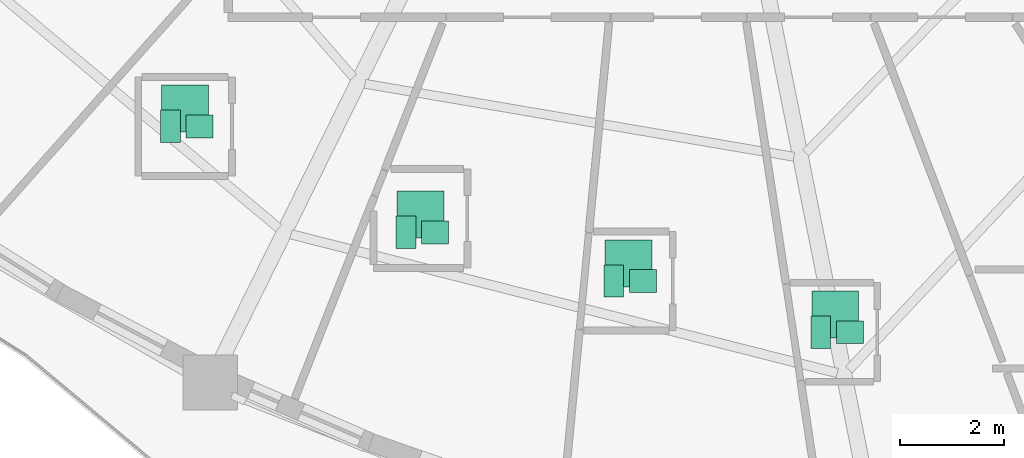
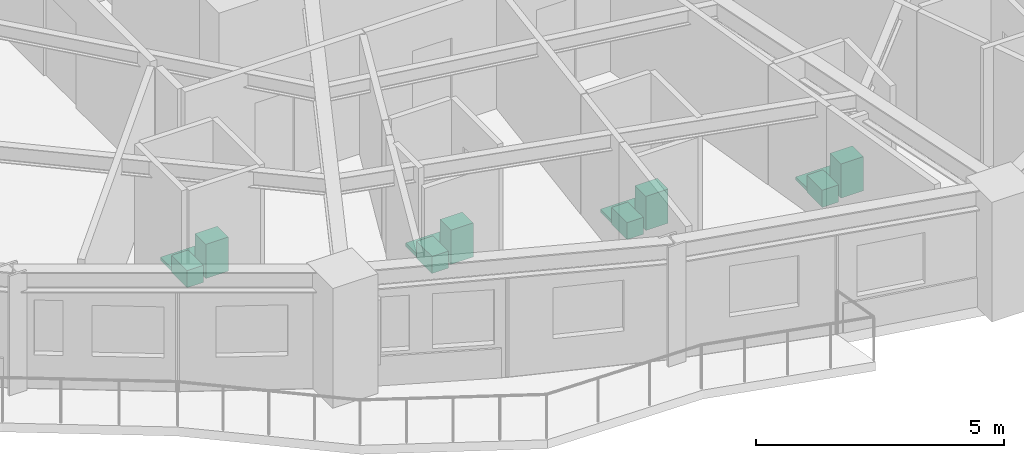
# One storey, part 14 of 14: 12 sanitary terminals.
"""IFC4 building model written with IfcOpenShell, lengths in metres."""

from ifc_helpers import new_model, si_unit, direction, frame, origin, origin_2d, place, context, subcontext, project, spatial, rectangle, extrude, source, transform, mapped, material, type_object, element, save


model = new_model("IFC4")

# Units and contexts
model_context = context("Model", 3, precision=1e-05, world=origin(), true_north=direction((0.0, 1.0)))
body_context = subcontext(model_context, "Body", "Model", "MODEL_VIEW")
ifc_project = project(units=[si_unit("LENGTHUNIT", "METRE"), si_unit("AREAUNIT", "SQUARE_METRE"), si_unit("VOLUMEUNIT", "CUBIC_METRE"), si_unit("PLANEANGLEUNIT", "RADIAN"), si_unit("MASSUNIT", "GRAM", prefix="KILO")], contexts=[model_context])

# Site, building, storey
site_placement = place(None, origin())
site = spatial("IfcSite", under=ifc_project, at=site_placement, CompositionType="ELEMENT")
building_placement = place(site_placement, origin())
building = spatial("IfcBuilding", under=site, at=building_placement, Name="Qafzar Sky-Pleat Residences", CompositionType="ELEMENT")
storey_placement = place(building_placement, frame((0.0, 0.0, 20.60009765625)))
storey = spatial("IfcBuildingStorey", under=building, at=storey_placement, Name="L05", CompositionType="ELEMENT", Elevation=20.60009765625)

# Sanitary terminals
ifc_material_1 = material(Name="Vitreous china sanitaryware")
sanitary_terminal_type_1 = type_object("IfcSanitaryTerminalType", Name="SAN-WC-PAN", PredefinedType="TOILETPAN", material=ifc_material_1)
shared_shape_1 = source(origin(), body_context, "Body", "SweptSolid", [
    extrude(rectangle(XDim=0.3798828125, YDim=0.6201171875, at=origin_2d()), origin(), (0.0, 0.0, 1.0), 0.419921875),
])
for number, where, z_axis, x_axis, name in (
    (1, (20.912109375, 13.323974609375, 0.0), (0.0, 0.0, 1.0), (1.0, 0.0, 0.0), "L05 En-suite Bathroom 5 WC Pan"),
    (2, (25.430908203125, 11.290283203125, 0.0), (0.0, 0.0, 1.0), (1.0, 0.0, 0.0), "L05 En-suite Bathroom 6 WC Pan"),
    (3, (29.421142578125, 10.35595703125, 0.0), (0.0, 0.0, 1.0), (1.0, 0.0, 0.0), "L05 En-suite Bathroom 7 WC Pan"),
    (4, (33.390869140625, 9.3740234375, 0.0), (0.0, 0.0, 1.0), (1.0, 0.0, 0.0), "L05 En-suite Bathroom 8 WC Pan"),
):
    element("IfcSanitaryTerminal", number, at=place(storey_placement, frame(where, z_axis=z_axis, x_axis=x_axis)), inside=storey, type_object=sanitary_terminal_type_1, Name=name, PredefinedType="TOILETPAN", context=body_context, shape_type="MappedRepresentation", body=[
        mapped(shared_shape_1, transform((0.0, 0.0, 0.0), x_axis=(1.0, 0.0, 0.0), y_axis=(0.0, 1.0, 0.0), z_axis=(0.0, 0.0, 1.0), scale=1.0)),
    ])
sanitary_terminal_type_2 = type_object("IfcSanitaryTerminalType", Name="SAN-BASIN", PredefinedType="WASHHANDBASIN", material=ifc_material_1)
shared_shape_2 = source(origin(), body_context, "Body", "SweptSolid", [
    extrude(rectangle(XDim=0.52001953125, YDim=0.43994140625, at=origin_2d()), origin(), (0.0, 0.0, 1.0), 0.840087890625),
])
for number, where, z_axis, x_axis, name in (
    (5, (21.471923828125, 13.323974609375, 0.0), (0.0, 0.0, 1.0), (1.0, 0.0, 0.0), "L05 En-suite Bathroom 5 Pedestal Washbasin"),
    (6, (25.990966796875, 11.290283203125, 0.0), (0.0, 0.0, 1.0), (1.0, 0.0, 0.0), "L05 En-suite Bathroom 6 Pedestal Washbasin"),
    (7, (29.981201171875, 10.35595703125, 0.0), (0.0, 0.0, 1.0), (1.0, 0.0, 0.0), "L05 En-suite Bathroom 7 Pedestal Washbasin"),
    (8, (33.950927734375, 9.3740234375, 0.0), (0.0, 0.0, 1.0), (1.0, 0.0, 0.0), "L05 En-suite Bathroom 8 Pedestal Washbasin"),
):
    element("IfcSanitaryTerminal", number, at=place(storey_placement, frame(where, z_axis=z_axis, x_axis=x_axis)), inside=storey, type_object=sanitary_terminal_type_2, Name=name, PredefinedType="WASHHANDBASIN", context=body_context, shape_type="MappedRepresentation", body=[
        mapped(shared_shape_2, transform((0.0, 0.0, 0.0), x_axis=(1.0, 0.0, 0.0), y_axis=(0.0, 1.0, 0.0), z_axis=(0.0, 0.0, 1.0), scale=1.0)),
    ])
ifc_material_2 = material(Name="Vitreous china and acrylic tray")
sanitary_terminal_type_3 = type_object("IfcSanitaryTerminalType", Name="SAN-SHOWER", PredefinedType="SHOWER", material=ifc_material_2)
shared_shape_3 = source(origin(), body_context, "Body", "SweptSolid", [
    extrude(rectangle(XDim=0.89990234375, YDim=0.89990234375, at=origin_2d()), origin(), (0.0, 0.0, 1.0), 0.080078125),
])
for number, where, z_axis, x_axis, name in (
    (9, (21.19189453125, 13.6640625, -0.000244140625), (0.0, 0.0, 1.0), (1.0, 0.0, 0.0), "L05 En-suite Bathroom 5 Walk-In Shower"),
    (10, (25.7109375, 11.63037109375, -0.000244140625), (0.0, 0.0, 1.0), (1.0, 0.0, 0.0), "L05 En-suite Bathroom 6 Walk-In Shower"),
    (11, (29.701171875, 10.696044921875, -0.000244140625), (0.0, 0.0, 1.0), (1.0, 0.0, 0.0), "L05 En-suite Bathroom 7 Walk-In Shower"),
    (12, (33.6708984375, 9.714111328125, -0.000244140625), (0.0, 0.0, 1.0), (1.0, 0.0, 0.0), "L05 En-suite Bathroom 8 Walk-In Shower"),
):
    element("IfcSanitaryTerminal", number, at=place(storey_placement, frame(where, z_axis=z_axis, x_axis=x_axis)), inside=storey, type_object=sanitary_terminal_type_3, Name=name, PredefinedType="SHOWER", context=body_context, shape_type="MappedRepresentation", body=[
        mapped(shared_shape_3, transform((0.0, 0.0, 0.0), x_axis=(1.0, 0.0, 0.0), y_axis=(0.0, 1.0, 0.0), z_axis=(0.0, 0.0, 1.0), scale=1.0)),
    ])

save(model, "model.ifc")
